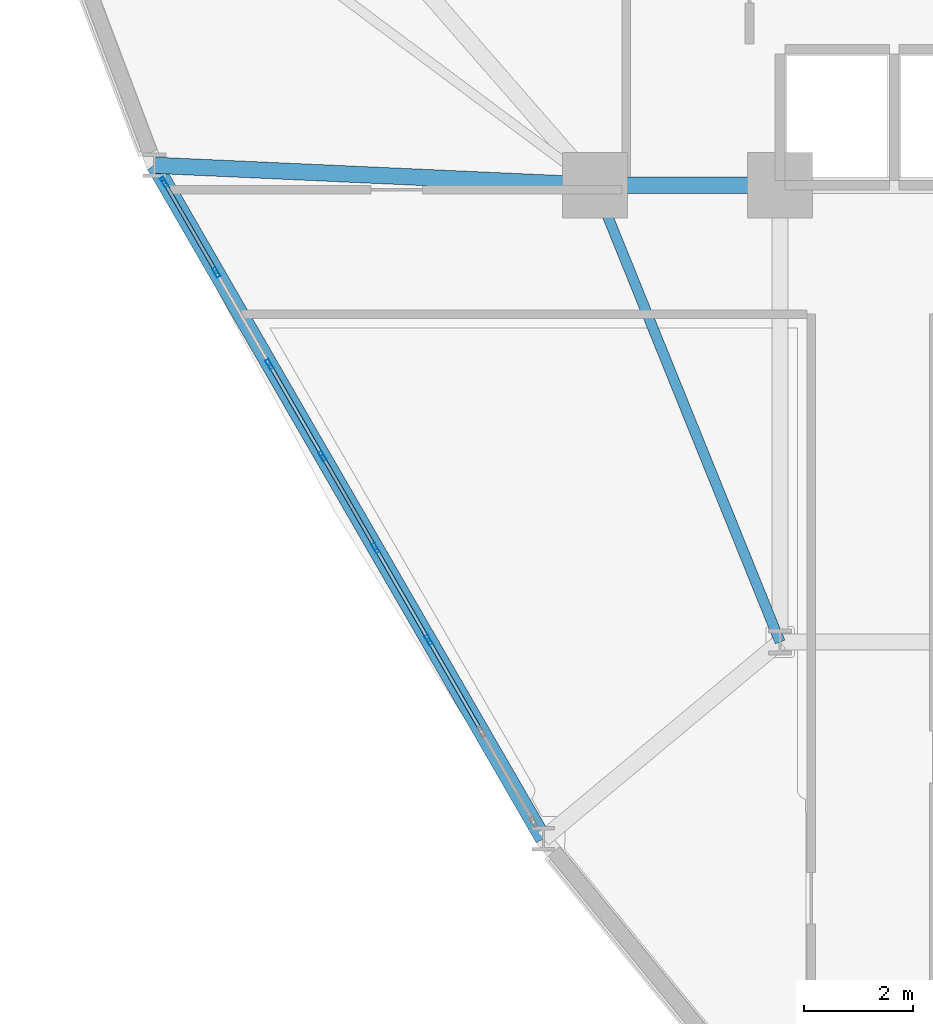
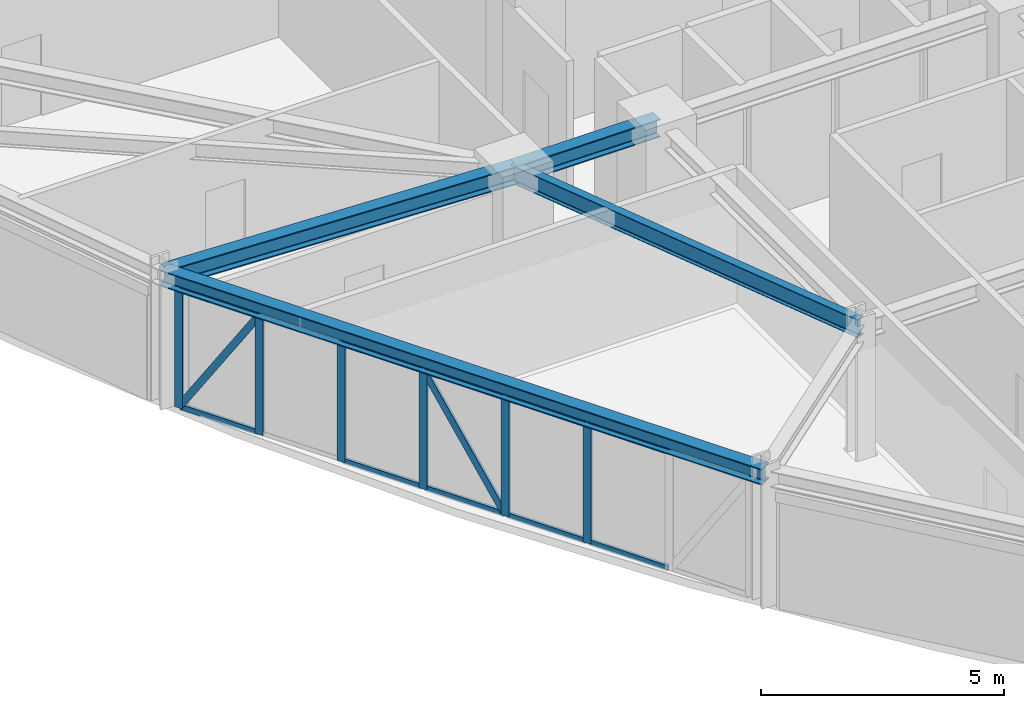
# One storey, part 4 of 17: 18 members, 4 beams, 1 element without a shape of its own.
"""IFC4 building model written with IfcOpenShell, lengths in metres."""

from ifc_helpers import new_model, si_unit, derived_unit, direction, frame, origin, origin_2d, place, context, subcontext, project, spatial, hollow_rectangle, i_section, extrude, source, transform, mapped, material, layer, layer_set, material_profile, profile_set, type_object, element, aggregate, save


model = new_model("IFC4")

# Units and contexts
model_context = context("Model", 3, precision=1e-05, world=origin(), true_north=direction((0.0, 1.0)))
body_context = subcontext(model_context, "Body", "Model", "MODEL_VIEW")
ifc_project = project(units=[si_unit("LENGTHUNIT", "METRE"), si_unit("AREAUNIT", "SQUARE_METRE"), si_unit("VOLUMEUNIT", "CUBIC_METRE"), si_unit("PLANEANGLEUNIT", "RADIAN"), si_unit("MASSUNIT", "GRAM", prefix="KILO"), derived_unit("THERMALTRANSMITTANCEUNIT", [(si_unit("POWERUNIT", "WATT"), 1), (si_unit("LENGTHUNIT", "METRE"), -2), (si_unit("THERMODYNAMICTEMPERATUREUNIT", "KELVIN"), -1)])], contexts=[model_context])

# Site, building, storey
site_placement = place(None, origin())
site = spatial("IfcSite", under=ifc_project, at=site_placement, CompositionType="ELEMENT")
building_placement = place(site_placement, origin())
building = spatial("IfcBuilding", under=site, at=building_placement, Name="Korsvarv Bourse and Concert Hall", CompositionType="ELEMENT")
storey_placement = place(building_placement, frame((0.0, 0.0, 102.60009765625)))
storey = spatial("IfcBuildingStorey", under=building, at=storey_placement, Name="L25", CompositionType="ELEMENT", Elevation=102.60009765625)

# Beams
ifc_material_1 = material(Name="Steel S355", Category="steel")
ifc_material_profile_1 = material_profile(ifc_material_1, i_section(OverallWidth=0.18994140625, OverallDepth=0.449951171875, WebThickness=0.009521484375, FlangeThickness=0.0146484375, FilletRadius=0.02099609375, at=origin_2d()), Name="IPE 450")
ifc_profile_set_1 = profile_set([ifc_material_profile_1], Name="Steel S355")
beam_type_1 = type_object("IfcBeamType", Name="BM-IPE450", PredefinedType="JOIST", material=ifc_profile_set_1)
shared_shape_1 = source(origin(), body_context, "Body", "SweptSolid", [
    extrude(i_section(OverallWidth=0.18994140625, OverallDepth=0.449951171875, WebThickness=0.009521484375, FlangeThickness=0.0146484375, FilletRadius=0.02099609375, at=origin_2d()), origin(), (0.0, 0.0, 1.0), 9.06201171875),
])
beam_1_placement = place(storey_placement, frame((24.199951171875, 32.39990234375, 3.1748046875), z_axis=(0.375210394783, -0.926939674222, 0.0), x_axis=(0.926939674222, 0.375210394783, 0.0)))
element("IfcBeam", 1, at=beam_1_placement, inside=storey, type_object=beam_type_1, Name="L25 beam J-04", PredefinedType="JOIST", context=body_context, shape_type="MappedRepresentation", body=[
    mapped(shared_shape_1, transform((0.0, 0.0, 0.0), scale=1.0)),
])
ifc_material_profile_2 = material_profile(ifc_material_1, i_section(OverallWidth=0.300048828125, OverallDepth=0.449951171875, WebThickness=0.013916015625, FlangeThickness=0.02587890625, FilletRadius=0.02099609375, at=origin_2d()), Name="HEB 450")
ifc_profile_set_2 = profile_set([ifc_material_profile_2], Name="Steel S355")
beam_type_2 = type_object("IfcBeamType", Name="BM-HEB450", PredefinedType="SPANDREL", material=ifc_profile_set_2)
shared_shape_2 = source(origin(), body_context, "Body", "SweptSolid", [
    extrude(i_section(OverallWidth=0.300048828125, OverallDepth=0.449951171875, WebThickness=0.013916015625, FlangeThickness=0.02587890625, FilletRadius=0.02099609375, at=origin_2d()), origin(), (0.0, 0.0, 1.0), 3.400146484375),
])
beam_2_placement = place(storey_placement, frame((24.199951171875, 32.39990234375, 3.1748046875), z_axis=(1.0, 0.0, 0.0), x_axis=(0.0, 1.0, 0.0)))
element("IfcBeam", 2, at=beam_2_placement, inside=storey, type_object=beam_type_2, Name="L25 beam B-08", PredefinedType="SPANDREL", context=body_context, shape_type="MappedRepresentation", body=[
    mapped(shared_shape_2, transform((0.0, 0.0, 0.0), scale=1.0)),
])
ifc_material_profile_3 = material_profile(ifc_material_1, i_section(OverallWidth=0.300048828125, OverallDepth=0.39990234375, WebThickness=0.013427734375, FlangeThickness=0.02392578125, FilletRadius=0.02099609375, at=origin_2d()), Name="HEB 400")
ifc_profile_set_3 = profile_set([ifc_material_profile_3], Name="Steel S355")
beam_type_3 = type_object("IfcBeamType", Name="BM-HEB400", PredefinedType="SPANDREL", material=ifc_profile_set_3)
shared_shape_3 = source(origin(), body_context, "Body", "SweptSolid", [
    extrude(i_section(OverallWidth=0.300048828125, OverallDepth=0.39990234375, WebThickness=0.013427734375, FlangeThickness=0.02392578125, FilletRadius=0.02099609375, at=origin_2d()), origin(), (0.0, 0.0, 1.0), 14.298828125),
])
beam_3_placement = place(storey_placement, frame((16.099365234375, 32.765869140625, 3.199951171875), z_axis=(0.500002778788, -0.866023799444, 0.0), x_axis=(0.866023799444, 0.500002778788, 0.0)))
element("IfcBeam", 3, at=beam_3_placement, inside=storey, type_object=beam_type_3, Name="L25 beam B-09", PredefinedType="SPANDREL", context=body_context, shape_type="MappedRepresentation", body=[
    mapped(shared_shape_3, transform((0.0, 0.0, 0.0), scale=1.0)),
])
shared_shape_4 = source(origin(), body_context, "Body", "SweptSolid", [
    extrude(i_section(OverallWidth=0.300048828125, OverallDepth=0.449951171875, WebThickness=0.013916015625, FlangeThickness=0.02587890625, FilletRadius=0.02099609375, at=origin_2d()), origin(), (0.0, 0.0, 1.0), 8.10888671875),
])
beam_4_placement = place(storey_placement, frame((16.099365234375, 32.765869140625, 3.1748046875), z_axis=(0.998981041914, -0.04513178366, 0.0), x_axis=(0.04513178366, 0.998981041914, 0.0)))
element("IfcBeam", 4, at=beam_4_placement, inside=storey, type_object=beam_type_2, Name="L25 beam B-08", PredefinedType="SPANDREL", context=body_context, shape_type="MappedRepresentation", body=[
    mapped(shared_shape_4, transform((0.0, 0.0, 0.0), scale=1.0)),
])

# Curtain wall, members
ifc_material_2 = material(Name="Anodised aluminium and triple low-E glazing", Category="glass")
ifc_layer = layer(ifc_material_2, 0.2099609375)
ifc_layer_set = layer_set([ifc_layer], Name="Anodised aluminium and triple low-E glazing")
curtain_wall_type = type_object("IfcCurtainWallType", Name="CW-SYS-2", PredefinedType="NOTDEFINED", material=ifc_layer_set)
curtain_wall_placement = place(storey_placement, origin())
curtain_wall = element("IfcCurtainWall", 5, at=curtain_wall_placement, inside=storey, type_object=curtain_wall_type, Name="L25 CW2 curtain wall CW-L25-F07", PredefinedType="NOTDEFINED")
ifc_material_3 = material(Name="Extruded aluminium EN AW-6063 T66", Category="aluminium")
ifc_material_profile_4 = material_profile(ifc_material_3, hollow_rectangle(XDim=0.070068359375, YDim=0.18994140625, WallThickness=0.0048828125, at=origin_2d()), Name="ALU-M 70x190")
ifc_profile_set_4 = profile_set([ifc_material_profile_4], Name="Extruded aluminium EN AW-6063 T66")
member_type_1 = type_object("IfcMemberType", Name="CWM-190", PredefinedType="MULLION", material=ifc_profile_set_4)
shared_shape_5 = source(origin(), body_context, "Body", "SweptSolid", [
    extrude(hollow_rectangle(XDim=0.070068359375, YDim=0.18994140625, WallThickness=0.0048828125, at=origin_2d()), origin(), (0.0, 0.0, 1.0), 3.0),
])
member_1_placement = place(storey_placement, frame((16.277099609375, 32.4580078125, 0.0), z_axis=(0.0, 0.0, 1.0), x_axis=(0.866024031595, 0.500002376695, 0.0)))
member_1 = element("IfcMember", 6, at=member_1_placement, type_object=member_type_1, Name="CW2 mullion 1", PredefinedType="MULLION", context=body_context, shape_type="MappedRepresentation", body=[
    mapped(shared_shape_5, transform((0.0, 0.0, 0.0), scale=1.0)),
])
member_2_placement = place(storey_placement, frame((17.235107421875, 30.798583984375, 0.0), z_axis=(0.0, 0.0, 1.0), x_axis=(0.866024031595, 0.500002376695, 0.0)))
member_2 = element("IfcMember", 7, at=member_2_placement, type_object=member_type_1, Name="CW2 mullion 2", PredefinedType="MULLION", context=body_context, shape_type="MappedRepresentation", body=[
    mapped(shared_shape_5, transform((0.0, 0.0, 0.0), scale=1.0)),
])
member_3_placement = place(storey_placement, frame((18.210693359375, 29.10888671875, 0.0), z_axis=(0.0, 0.0, 1.0), x_axis=(0.866024031595, 0.500002376695, 0.0)))
member_3 = element("IfcMember", 8, at=member_3_placement, type_object=member_type_1, Name="CW2 mullion 3", PredefinedType="MULLION", context=body_context, shape_type="MappedRepresentation", body=[
    mapped(shared_shape_5, transform((0.0, 0.0, 0.0), scale=1.0)),
])
member_4_placement = place(storey_placement, frame((19.186279296875, 27.419189453125, 0.0), z_axis=(0.0, 0.0, 1.0), x_axis=(0.866024031595, 0.500002376695, 0.0)))
member_4 = element("IfcMember", 9, at=member_4_placement, type_object=member_type_1, Name="CW2 mullion 4", PredefinedType="MULLION", context=body_context, shape_type="MappedRepresentation", body=[
    mapped(shared_shape_5, transform((0.0, 0.0, 0.0), scale=1.0)),
])
member_5_placement = place(storey_placement, frame((20.161865234375, 25.7294921875, 0.0), z_axis=(0.0, 0.0, 1.0), x_axis=(0.866024031595, 0.500002376695, 0.0)))
member_5 = element("IfcMember", 10, at=member_5_placement, type_object=member_type_1, Name="CW2 mullion 5", PredefinedType="MULLION", context=body_context, shape_type="MappedRepresentation", body=[
    mapped(shared_shape_5, transform((0.0, 0.0, 0.0), scale=1.0)),
])
member_6_placement = place(storey_placement, frame((21.137451171875, 24.03955078125, 0.0), z_axis=(0.0, 0.0, 1.0), x_axis=(0.866024031595, 0.500002376695, 0.0)))
member_6 = element("IfcMember", 11, at=member_6_placement, type_object=member_type_1, Name="CW2 mullion 6", PredefinedType="MULLION", context=body_context, shape_type="MappedRepresentation", body=[
    mapped(shared_shape_5, transform((0.0, 0.0, 0.0), scale=1.0)),
])
ifc_material_profile_5 = material_profile(ifc_material_3, hollow_rectangle(XDim=0.06494140625, YDim=0.139892578125, WallThickness=0.00390625, at=origin_2d()), Name="ALU-T 65x140")
ifc_profile_set_5 = profile_set([ifc_material_profile_5], Name="Extruded aluminium EN AW-6063 T66")
member_type_2 = type_object("IfcMemberType", Name="CWT-140", PredefinedType="USERDEFINED", material=ifc_profile_set_5)
shared_shape_6 = source(origin(), body_context, "Body", "SweptSolid", [
    extrude(hollow_rectangle(XDim=0.06494140625, YDim=0.139892578125, WallThickness=0.00390625, at=origin_2d()), origin(), (0.0, 0.0, 1.0), 1.84619140625),
])
member_7_placement = place(storey_placement, frame((16.294677734375, 32.427734375, 0.032470703125), z_axis=(0.499993363642, -0.866029235253, 0.0), x_axis=(0.866029235253, 0.499993363642, 0.0)))
member_7 = element("IfcMember", 12, at=member_7_placement, type_object=member_type_2, Name="CW2 transom 1.1", ObjectType="TRANSOM", PredefinedType="USERDEFINED", context=body_context, shape_type="MappedRepresentation", body=[
    mapped(shared_shape_6, transform((0.0, 0.0, 0.0), scale=1.0)),
])
member_8_placement = place(storey_placement, frame((16.294677734375, 32.427734375, 2.96728515625), z_axis=(0.499993363642, -0.866029235253, 0.0), x_axis=(0.866029235253, 0.499993363642, 0.0)))
member_8 = element("IfcMember", 13, at=member_8_placement, type_object=member_type_2, Name="CW2 transom 1.2", ObjectType="TRANSOM", PredefinedType="USERDEFINED", context=body_context, shape_type="MappedRepresentation", body=[
    mapped(shared_shape_6, transform((0.0, 0.0, 0.0), scale=1.0)),
])
shared_shape_7 = source(origin(), body_context, "Body", "SweptSolid", [
    extrude(hollow_rectangle(XDim=0.06494140625, YDim=0.139892578125, WallThickness=0.00390625, at=origin_2d()), origin(), (0.0, 0.0, 1.0), 1.881103515625),
])
member_9_placement = place(storey_placement, frame((18.228271484375, 29.07861328125, 0.032470703125), z_axis=(0.4999359155, -0.866062399826, 0.0), x_axis=(0.866062399826, 0.4999359155, 0.0)))
member_9 = element("IfcMember", 14, at=member_9_placement, type_object=member_type_2, Name="CW2 transom 3.1", ObjectType="TRANSOM", PredefinedType="USERDEFINED", context=body_context, shape_type="MappedRepresentation", body=[
    mapped(shared_shape_7, transform((0.0, 0.0, 0.0), scale=1.0)),
])
member_10_placement = place(storey_placement, frame((18.228271484375, 29.07861328125, 2.96728515625), z_axis=(0.4999359155, -0.866062399826, 0.0), x_axis=(0.866062399826, 0.4999359155, 0.0)))
member_10 = element("IfcMember", 15, at=member_10_placement, type_object=member_type_2, Name="CW2 transom 3.2", ObjectType="TRANSOM", PredefinedType="USERDEFINED", context=body_context, shape_type="MappedRepresentation", body=[
    mapped(shared_shape_7, transform((0.0, 0.0, 0.0), scale=1.0)),
])
member_11_placement = place(storey_placement, frame((19.203857421875, 27.388916015625, 0.032470703125), z_axis=(0.4999359155, -0.866062399826, 0.0), x_axis=(0.866062399826, 0.4999359155, 0.0)))
member_11 = element("IfcMember", 16, at=member_11_placement, type_object=member_type_2, Name="CW2 transom 4.1", ObjectType="TRANSOM", PredefinedType="USERDEFINED", context=body_context, shape_type="MappedRepresentation", body=[
    mapped(shared_shape_7, transform((0.0, 0.0, 0.0), scale=1.0)),
])
member_12_placement = place(storey_placement, frame((19.203857421875, 27.388916015625, 2.96728515625), z_axis=(0.4999359155, -0.866062399826, 0.0), x_axis=(0.866062399826, 0.4999359155, 0.0)))
member_12 = element("IfcMember", 17, at=member_12_placement, type_object=member_type_2, Name="CW2 transom 4.2", ObjectType="TRANSOM", PredefinedType="USERDEFINED", context=body_context, shape_type="MappedRepresentation", body=[
    mapped(shared_shape_7, transform((0.0, 0.0, 0.0), scale=1.0)),
])
member_13_placement = place(storey_placement, frame((21.155029296875, 24.00927734375, 0.032470703125), z_axis=(0.4999359155, -0.866062399826, 0.0), x_axis=(0.866062399826, 0.4999359155, 0.0)))
member_13 = element("IfcMember", 18, at=member_13_placement, type_object=member_type_2, Name="CW2 transom 6.1", ObjectType="TRANSOM", PredefinedType="USERDEFINED", context=body_context, shape_type="MappedRepresentation", body=[
    mapped(shared_shape_7, transform((0.0, 0.0, 0.0), scale=1.0)),
])
member_14_placement = place(storey_placement, frame((21.155029296875, 24.00927734375, 2.96728515625), z_axis=(0.4999359155, -0.866062399826, 0.0), x_axis=(0.866062399826, 0.4999359155, 0.0)))
member_14 = element("IfcMember", 19, at=member_14_placement, type_object=member_type_2, Name="CW2 transom 6.2", ObjectType="TRANSOM", PredefinedType="USERDEFINED", context=body_context, shape_type="MappedRepresentation", body=[
    mapped(shared_shape_7, transform((0.0, 0.0, 0.0), scale=1.0)),
])
shared_shape_8 = source(origin(), body_context, "Body", "SweptSolid", [
    extrude(hollow_rectangle(XDim=0.06494140625, YDim=0.139892578125, WallThickness=0.00390625, at=origin_2d()), origin(), (0.0, 0.0, 1.0), 1.880859375),
])
member_15_placement = place(storey_placement, frame((20.179443359375, 25.698974609375, 0.032470703125), z_axis=(0.499992114976, -0.866029956157, 0.0), x_axis=(0.866029956157, 0.499992114976, 0.0)))
member_15 = element("IfcMember", 20, at=member_15_placement, type_object=member_type_2, Name="CW2 transom 5.1", ObjectType="TRANSOM", PredefinedType="USERDEFINED", context=body_context, shape_type="MappedRepresentation", body=[
    mapped(shared_shape_8, transform((0.0, 0.0, 0.0), scale=1.0)),
])
member_16_placement = place(storey_placement, frame((20.179443359375, 25.698974609375, 2.96728515625), z_axis=(0.499992114976, -0.866029956157, 0.0), x_axis=(0.866029956157, 0.499992114976, 0.0)))
member_16 = element("IfcMember", 21, at=member_16_placement, type_object=member_type_2, Name="CW2 transom 5.2", ObjectType="TRANSOM", PredefinedType="USERDEFINED", context=body_context, shape_type="MappedRepresentation", body=[
    mapped(shared_shape_8, transform((0.0, 0.0, 0.0), scale=1.0)),
])
ifc_material_profile_6 = material_profile(ifc_material_3, hollow_rectangle(XDim=0.06494140625, YDim=0.1650390625, WallThickness=0.0048828125, at=origin_2d()), Name="ALU-M 65x165")
ifc_profile_set_6 = profile_set([ifc_material_profile_6], Name="Extruded aluminium EN AW-6063 T66")
member_type_3 = type_object("IfcMemberType", Name="CWM-165", PredefinedType="MULLION", material=ifc_profile_set_6)
shared_shape_9 = source(origin(), body_context, "Body", "SweptSolid", [
    extrude(hollow_rectangle(XDim=0.06494140625, YDim=0.1650390625, WallThickness=0.0048828125, at=origin_2d()), origin(), (0.0, 0.0, 1.0), 3.412353515625),
])
member_17_placement = place(storey_placement, frame((16.294677734375, 32.427734375, 0.06494140625), z_axis=(0.270509714708, -0.468544861576, 0.841005473787), x_axis=(0.866029235253, 0.499993363642, 0.0)))
member_17 = element("IfcMember", 22, at=member_17_placement, type_object=member_type_3, Name="CW2 diagonal mullion 1", PredefinedType="MULLION", context=body_context, shape_type="MappedRepresentation", body=[
    mapped(shared_shape_9, transform((0.0, 0.0, 0.0), scale=1.0)),
])
shared_shape_10 = source(origin(), body_context, "Body", "SweptSolid", [
    extrude(hollow_rectangle(XDim=0.06494140625, YDim=0.1650390625, WallThickness=0.0048828125, at=origin_2d()), origin(), (0.0, 0.0, 1.0), 3.431396484375),
])
member_18_placement = place(storey_placement, frame((20.144287109375, 25.759765625, 0.06494140625), z_axis=(-0.274063509759, 0.47477305312, 0.836349054313), x_axis=(-0.866062399826, -0.4999359155, 0.0)))
member_18 = element("IfcMember", 23, at=member_18_placement, type_object=member_type_3, Name="CW2 diagonal mullion 4", PredefinedType="MULLION", context=body_context, shape_type="MappedRepresentation", body=[
    mapped(shared_shape_10, transform((0.0, 0.0, 0.0), scale=1.0)),
])
aggregate(curtain_wall, [member_1, member_2, member_3, member_4, member_5, member_6, member_7, member_8, member_17, member_9, member_10, member_11, member_12, member_18, member_15, member_16, member_13, member_14])

save(model, "model.ifc")
